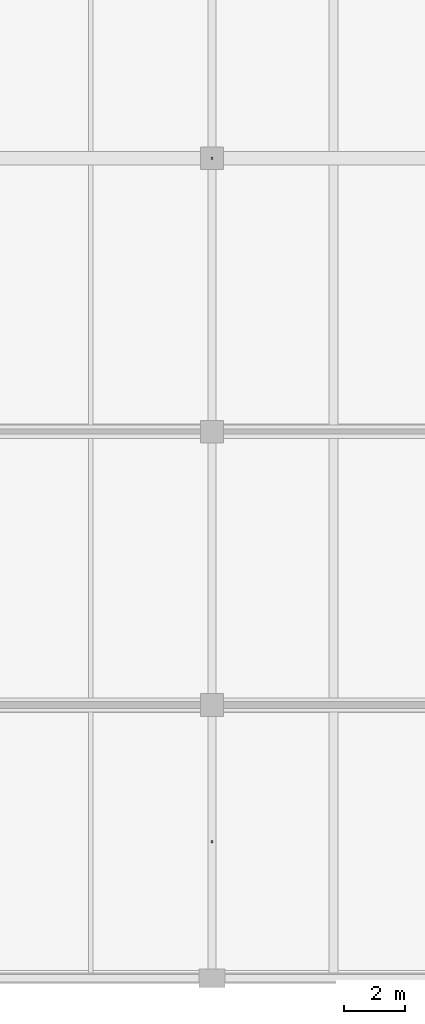
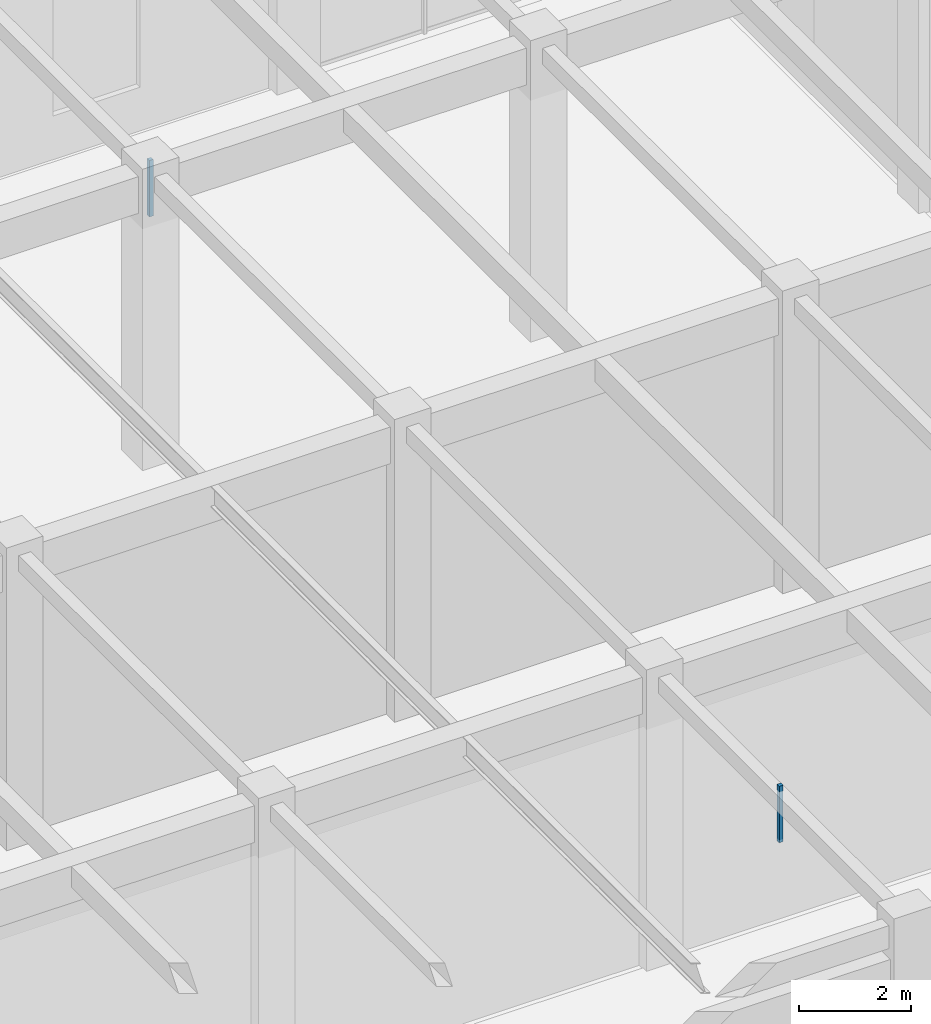
# One storey, part 150 of 163: 2 discrete accessories.
"""IFC4 building model written with IfcOpenShell, lengths in metres."""

from ifc_helpers import new_model, si_unit, direction, frame, origin, origin_2d, place, context, subcontext, project, spatial, rectangle, extrude, material, layer, layer_set, type_object, element, save


model = new_model("IFC4")

# Units and contexts
model_context = context("Model", 3, precision=1e-05, world=origin(), true_north=direction((0.0, 1.0)))
body_context = subcontext(model_context, "Body", "Model", "MODEL_VIEW")
ifc_project = project(units=[si_unit("LENGTHUNIT", "METRE"), si_unit("AREAUNIT", "SQUARE_METRE"), si_unit("VOLUMEUNIT", "CUBIC_METRE"), si_unit("PLANEANGLEUNIT", "RADIAN"), si_unit("MASSUNIT", "GRAM", prefix="KILO")], contexts=[model_context])

# Site, building, storey
site_placement = place(None, origin())
site = spatial("IfcSite", under=ifc_project, at=site_placement, CompositionType="ELEMENT")
building_placement = place(site_placement, origin())
building = spatial("IfcBuilding", under=site, at=building_placement, Name="Varnabhumi Central Station", CompositionType="ELEMENT")
storey_placement = place(building_placement, frame((0.0, 0.0, 9.60009765625)))
storey = spatial("IfcBuildingStorey", under=building, at=storey_placement, Name="L02", CompositionType="ELEMENT", Elevation=9.60009765625)

# Discrete accessories
ifc_material = material(Name="Structural steel E350", Category="steel")
ifc_layer = layer(ifc_material, 0.159912109375, Name="Structural steel E350", Category="steel")
ifc_layer_set = layer_set([ifc_layer], Name="Structural steel E350")
discrete_accessory_type = type_object("IfcDiscreteAccessoryType", Name="ACC-SHADE-BRKT", PredefinedType="BRACKET", material=ifc_layer_set)
for number, where, z_axis, x_axis, name in (
    (1, (168.0, 27.0, 5.239990234375), (0.0, 0.0, 1.0), (1.0, 0.0, 0.0), "Platform Overlook Refreshment Lounge Ceiling Hanger"),
    (2, (168.0, 4.5, 5.239990234375), (0.0, 0.0, 1.0), (1.0, 0.0, 0.0), "Concourse Equipment Store Ceiling Hanger"),
):
    element("IfcDiscreteAccessory", number, at=place(storey_placement, frame(where, z_axis=z_axis, x_axis=x_axis)), inside=storey, type_object=discrete_accessory_type, Name=name, PredefinedType="BRACKET", context=body_context, shape_type="SweptSolid", body=[
        extrude(rectangle(XDim=0.080078125, YDim=0.080078125, at=origin_2d()), origin(), (0.0, 0.0, 1.0), 1.22998046875),
    ])

save(model, "model.ifc")
